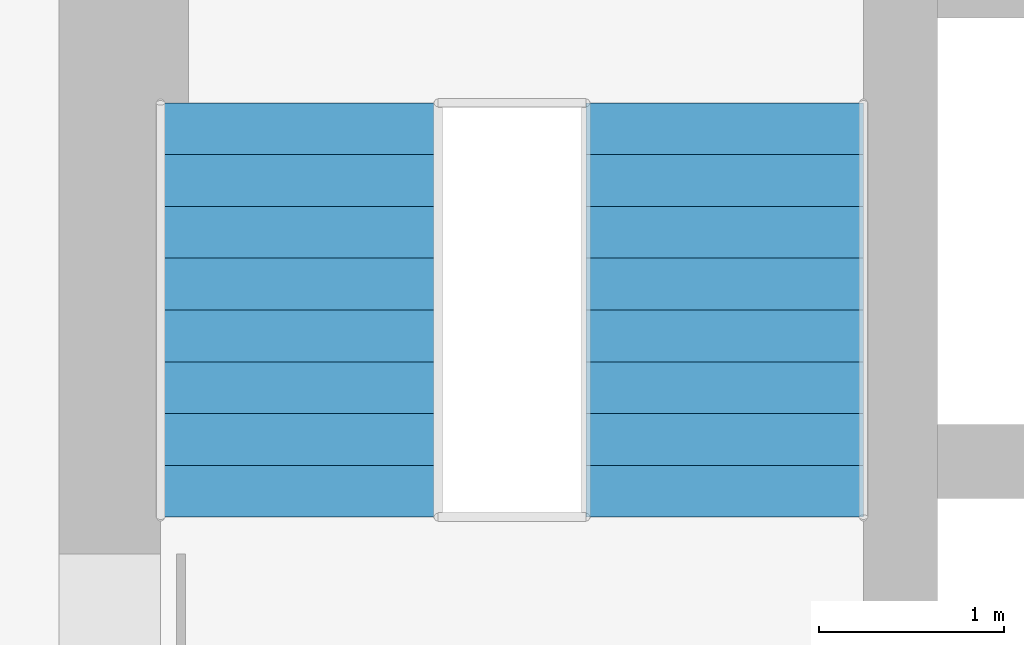
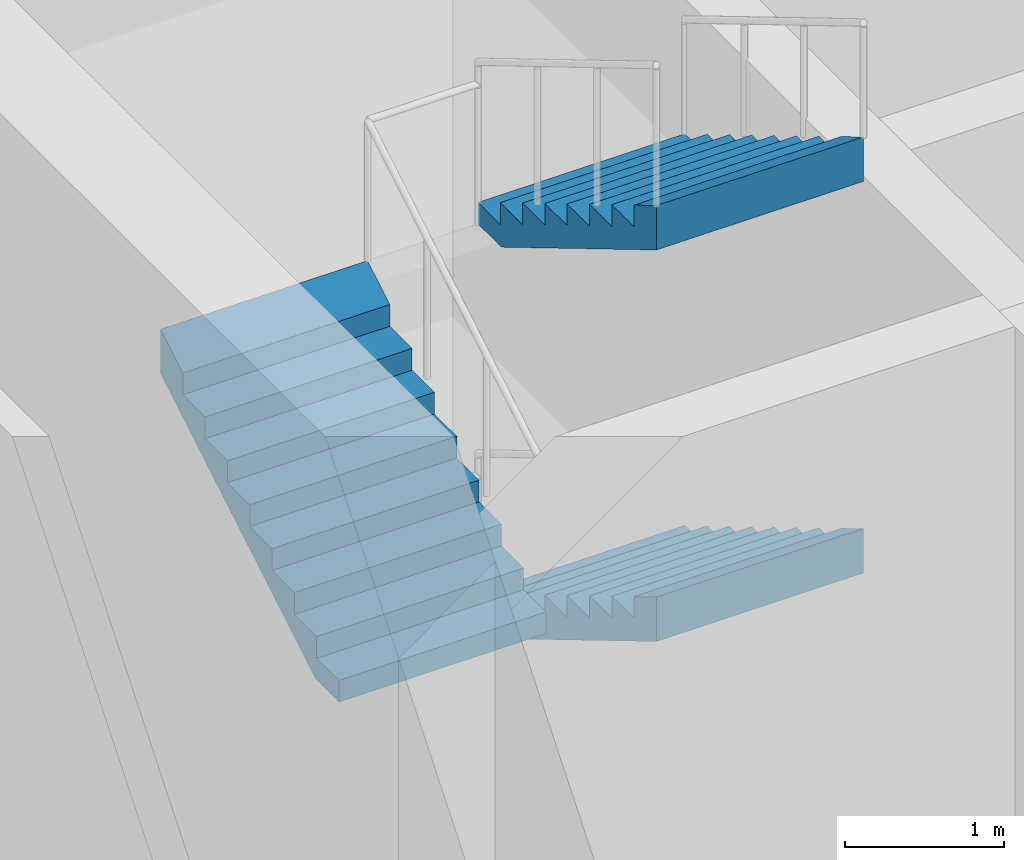
# One storey, part 20 of 32: 3 stair flights, 1 element without a shape of its own.
"""IFC4 building model written with IfcOpenShell, lengths in metres."""

from ifc_helpers import new_model, si_unit, direction, frame, origin, place, context, subcontext, project, spatial, triangles, material, type_object, element, aggregate, save


model = new_model("IFC4")

# Units and contexts
model_context = context("Model", 3, precision=1e-05, world=origin(), true_north=direction((0.0, 1.0)))
body_context = subcontext(model_context, "Body", "Model", "MODEL_VIEW")
ifc_project = project(units=[si_unit("LENGTHUNIT", "METRE"), si_unit("AREAUNIT", "SQUARE_METRE"), si_unit("VOLUMEUNIT", "CUBIC_METRE"), si_unit("PLANEANGLEUNIT", "RADIAN"), si_unit("MASSUNIT", "GRAM", prefix="KILO")], contexts=[model_context])

# Site, building, storey
site_placement = place(None, origin())
site = spatial("IfcSite", under=ifc_project, at=site_placement, CompositionType="ELEMENT")
building_placement = place(site_placement, origin())
building = spatial("IfcBuilding", under=site, at=building_placement, Name="Ludao Terraces", CompositionType="ELEMENT")
storey_placement = place(building_placement, origin())
storey = spatial("IfcBuildingStorey", under=building, at=storey_placement, Name="L00", CompositionType="ELEMENT", Elevation=0.0)

# Stair, stair flights
ifc_material = material(Name="Concrete C40", Category="concrete")
stair_type = type_object("IfcStairType", Name="INT Stair", PredefinedType="HALF_TURN_STAIR", material=ifc_material)
stair_placement = place(storey_placement, origin())
stair = element("IfcStair", 1, at=stair_placement, inside=storey, type_object=stair_type, Name="EXIT STAIR 1", PredefinedType="HALF_TURN_STAIR")
stair_flight_type = type_object("IfcStairFlightType", Name="INT Stair flight", PredefinedType="STRAIGHT", material=ifc_material)
stair_flight_1_placement = place(storey_placement, frame((78.5, 81.239990234375, 1.5), z_axis=(0.0, 0.0, 1.0), x_axis=(0.0, -1.0, 0.0)))
stair_flight_1 = element("IfcStairFlight", 2, at=stair_flight_1_placement, type_object=stair_flight_type, Name="ST1 flight 2", NumberOfRisers=9, NumberOfTreads=8, PredefinedType="STRAIGHT", RiserHeight=0.166667, TreadLength=0.28, context=body_context, shape_type="Tessellation", body=[
    triangles([(0.0, -0.75, 0.0), (0.0, -0.5, 0.0), (0.0, -0.25, 0.0), (0.0, 0.0, 0.0), (0.0, 0.25, 0.0), (0.0, 0.5, 0.0), (0.0, 0.75, 0.0), (0.0, -0.75, 0.166748046875), (0.0, -0.5, 0.166748046875), (0.0, -0.25, 0.166748046875), (0.0, 0.0, 0.166748046875), (0.0, 0.25, 0.166748046875), (0.0, 0.5, 0.166748046875), (0.0, 0.75, 0.166748046875), (0.280029296875, -0.75, 0.166748046875), (0.280029296875, -0.5, 0.166748046875), (0.280029296875, -0.25, 0.166748046875), (0.280029296875, 0.0, 0.166748046875), (0.280029296875, 0.25, 0.166748046875), (0.280029296875, 0.5, 0.166748046875), (0.280029296875, 0.75, 0.166748046875), (0.280029296875, -0.75, 0.333251953125), (0.280029296875, -0.5, 0.333251953125), (0.280029296875, -0.25, 0.333251953125), (0.280029296875, 0.0, 0.333251953125), (0.280029296875, 0.25, 0.333251953125), (0.280029296875, 0.5, 0.333251953125), (0.280029296875, 0.75, 0.333251953125), (0.56005859375, -0.75, 0.333251953125), (0.56005859375, -0.5, 0.333251953125), (0.56005859375, -0.25, 0.333251953125), (0.56005859375, 0.0, 0.333251953125), (0.56005859375, 0.25, 0.333251953125), (0.56005859375, 0.5, 0.333251953125), (0.56005859375, 0.75, 0.333251953125), (0.56005859375, -0.75, 0.5), (0.56005859375, -0.5, 0.5), (0.56005859375, -0.25, 0.5), (0.56005859375, 0.0, 0.5), (0.56005859375, 0.25, 0.5), (0.56005859375, 0.5, 0.5), (0.56005859375, 0.75, 0.5), (0.840087890625, -0.75, 0.5), (0.840087890625, -0.5, 0.5), (0.840087890625, -0.25, 0.5), (0.840087890625, 0.0, 0.5), (0.840087890625, 0.25, 0.5), (0.840087890625, 0.5, 0.5), (0.840087890625, 0.75, 0.5), (0.840087890625, -0.75, 0.666748046875), (0.840087890625, -0.5, 0.666748046875), (0.840087890625, -0.25, 0.666748046875), (0.840087890625, 0.0, 0.666748046875), (0.840087890625, 0.25, 0.666748046875), (0.840087890625, 0.5, 0.666748046875), (0.840087890625, 0.75, 0.666748046875), (1.1201171875, -0.75, 0.666748046875), (1.1201171875, -0.5, 0.666748046875), (1.1201171875, -0.25, 0.666748046875), (1.1201171875, 0.0, 0.666748046875), (1.1201171875, 0.25, 0.666748046875), (1.1201171875, 0.5, 0.666748046875), (1.1201171875, 0.75, 0.666748046875), (1.1201171875, -0.75, 0.833251953125), (1.1201171875, -0.5, 0.833251953125), (1.1201171875, -0.25, 0.833251953125), (1.1201171875, 0.0, 0.833251953125), (1.1201171875, 0.25, 0.833251953125), (1.1201171875, 0.5, 0.833251953125), (1.1201171875, 0.75, 0.833251953125), (1.39990234375, -0.75, 0.833251953125), (1.39990234375, -0.5, 0.833251953125), (1.39990234375, -0.25, 0.833251953125), (1.39990234375, 0.0, 0.833251953125), (1.39990234375, 0.25, 0.833251953125), (1.39990234375, 0.5, 0.833251953125), (1.39990234375, 0.75, 0.833251953125), (1.39990234375, -0.75, 1.0), (1.39990234375, -0.5, 1.0), (1.39990234375, -0.25, 1.0), (1.39990234375, 0.0, 1.0), (1.39990234375, 0.25, 1.0), (1.39990234375, 0.5, 1.0), (1.39990234375, 0.75, 1.0), (1.679931640625, -0.75, 1.0), (1.679931640625, -0.5, 1.0), (1.679931640625, -0.25, 1.0), (1.679931640625, 0.0, 1.0), (1.679931640625, 0.25, 1.0), (1.679931640625, 0.5, 1.0), (1.679931640625, 0.75, 1.0), (1.679931640625, -0.75, 1.166748046875), (1.679931640625, -0.5, 1.166748046875), (1.679931640625, -0.25, 1.166748046875), (1.679931640625, 0.0, 1.166748046875), (1.679931640625, 0.25, 1.166748046875), (1.679931640625, 0.5, 1.166748046875), (1.679931640625, 0.75, 1.166748046875), (1.9599609375, -0.75, 1.166748046875), (1.9599609375, -0.5, 1.166748046875), (1.9599609375, -0.25, 1.166748046875), (1.9599609375, 0.0, 1.166748046875), (1.9599609375, 0.25, 1.166748046875), (1.9599609375, 0.5, 1.166748046875), (1.9599609375, 0.75, 1.166748046875), (1.9599609375, -0.75, 1.333251953125), (1.9599609375, -0.5, 1.333251953125), (1.9599609375, -0.25, 1.333251953125), (1.9599609375, 0.0, 1.333251953125), (1.9599609375, 0.25, 1.333251953125), (1.9599609375, 0.5, 1.333251953125), (1.9599609375, 0.75, 1.333251953125), (2.239990234375, -0.75, 1.5), (2.239990234375, -0.5, 1.5), (2.239990234375, -0.25, 1.5), (2.239990234375, 0.0, 1.5), (2.239990234375, 0.25, 1.5), (2.239990234375, 0.5, 1.5), (2.239990234375, 0.75, 1.5), (2.239990234375, -0.75, 1.158935546875), (2.239990234375, -0.5, 1.158935546875), (2.239990234375, -0.25, 1.158935546875), (2.239990234375, 0.0, 1.158935546875), (2.239990234375, 0.25, 1.158935546875), (2.239990234375, 0.5, 1.158935546875), (2.239990234375, 0.75, 1.158935546875), (0.29296875, -0.75, 0.0), (0.29296875, -0.5, 0.0), (0.29296875, -0.25, 0.0), (0.29296875, 0.0, 0.0), (0.29296875, 0.25, 0.0), (0.29296875, 0.5, 0.0), (0.29296875, 0.75, 0.0)], [[1, 127, 120], [7, 126, 133], [120, 113, 106], [126, 112, 119], [120, 106, 99], [126, 105, 112], [120, 99, 92], [126, 98, 105], [120, 92, 85], [126, 91, 98], [85, 78, 71], [91, 77, 84], [120, 85, 71], [126, 77, 91], [71, 64, 57], [77, 63, 70], [120, 71, 57], [126, 63, 77], [57, 50, 43], [63, 49, 56], [120, 57, 43], [126, 49, 63], [43, 36, 29], [49, 35, 42], [120, 43, 29], [126, 35, 49], [1, 120, 29], [7, 35, 126], [29, 22, 15], [35, 21, 28], [1, 29, 15], [7, 21, 35], [15, 8, 1], [21, 7, 14], [1, 9, 2], [1, 8, 9], [2, 10, 3], [2, 9, 10], [3, 11, 4], [3, 10, 11], [4, 12, 5], [4, 11, 12], [5, 13, 6], [5, 12, 13], [6, 14, 7], [6, 13, 14], [8, 16, 9], [8, 15, 16], [9, 17, 10], [9, 16, 17], [10, 18, 11], [10, 17, 18], [11, 19, 12], [11, 18, 19], [12, 20, 13], [12, 19, 20], [13, 21, 14], [13, 20, 21], [15, 23, 16], [15, 22, 23], [16, 24, 17], [16, 23, 24], [17, 25, 18], [17, 24, 25], [18, 26, 19], [18, 25, 26], [19, 27, 20], [19, 26, 27], [20, 28, 21], [20, 27, 28], [22, 30, 23], [22, 29, 30], [23, 31, 24], [23, 30, 31], [24, 32, 25], [24, 31, 32], [25, 33, 26], [25, 32, 33], [26, 34, 27], [26, 33, 34], [27, 35, 28], [27, 34, 35], [29, 37, 30], [29, 36, 37], [30, 38, 31], [30, 37, 38], [31, 39, 32], [31, 38, 39], [32, 40, 33], [32, 39, 40], [33, 41, 34], [33, 40, 41], [34, 42, 35], [34, 41, 42], [36, 44, 37], [36, 43, 44], [37, 45, 38], [37, 44, 45], [38, 46, 39], [38, 45, 46], [39, 47, 40], [39, 46, 47], [40, 48, 41], [40, 47, 48], [41, 49, 42], [41, 48, 49], [43, 51, 44], [43, 50, 51], [44, 52, 45], [44, 51, 52], [45, 53, 46], [45, 52, 53], [46, 54, 47], [46, 53, 54], [47, 55, 48], [47, 54, 55], [48, 56, 49], [48, 55, 56], [50, 58, 51], [50, 57, 58], [51, 59, 52], [51, 58, 59], [52, 60, 53], [52, 59, 60], [53, 61, 54], [53, 60, 61], [54, 62, 55], [54, 61, 62], [55, 63, 56], [55, 62, 63], [57, 65, 58], [57, 64, 65], [58, 66, 59], [58, 65, 66], [59, 67, 60], [59, 66, 67], [60, 68, 61], [60, 67, 68], [61, 69, 62], [61, 68, 69], [62, 70, 63], [62, 69, 70], [64, 72, 65], [64, 71, 72], [65, 73, 66], [65, 72, 73], [66, 74, 67], [66, 73, 74], [67, 75, 68], [67, 74, 75], [68, 76, 69], [68, 75, 76], [69, 77, 70], [69, 76, 77], [71, 79, 72], [71, 78, 79], [72, 80, 73], [72, 79, 80], [73, 81, 74], [73, 80, 81], [74, 82, 75], [74, 81, 82], [75, 83, 76], [75, 82, 83], [76, 84, 77], [76, 83, 84], [78, 86, 79], [78, 85, 86], [79, 87, 80], [79, 86, 87], [80, 88, 81], [80, 87, 88], [81, 89, 82], [81, 88, 89], [82, 90, 83], [82, 89, 90], [83, 91, 84], [83, 90, 91], [85, 93, 86], [85, 92, 93], [86, 94, 87], [86, 93, 94], [87, 95, 88], [87, 94, 95], [88, 96, 89], [88, 95, 96], [89, 97, 90], [89, 96, 97], [90, 98, 91], [90, 97, 98], [92, 100, 93], [92, 99, 100], [93, 101, 94], [93, 100, 101], [94, 102, 95], [94, 101, 102], [95, 103, 96], [95, 102, 103], [96, 104, 97], [96, 103, 104], [97, 105, 98], [97, 104, 105], [99, 107, 100], [99, 106, 107], [100, 108, 101], [100, 107, 108], [101, 109, 102], [101, 108, 109], [102, 110, 103], [102, 109, 110], [103, 111, 104], [103, 110, 111], [104, 112, 105], [104, 111, 112], [106, 114, 107], [106, 113, 114], [107, 115, 108], [107, 114, 115], [108, 116, 109], [108, 115, 116], [109, 117, 110], [109, 116, 117], [110, 118, 111], [110, 117, 118], [111, 119, 112], [111, 118, 119], [113, 121, 114], [113, 120, 121], [114, 122, 115], [114, 121, 122], [115, 123, 116], [115, 122, 123], [116, 124, 117], [116, 123, 124], [117, 125, 118], [117, 124, 125], [118, 126, 119], [118, 125, 126], [120, 128, 121], [120, 127, 128], [121, 129, 122], [121, 128, 129], [122, 130, 123], [122, 129, 130], [123, 131, 124], [123, 130, 131], [124, 132, 125], [124, 131, 132], [125, 133, 126], [125, 132, 133], [127, 2, 128], [127, 1, 2], [128, 3, 129], [128, 2, 3], [129, 4, 130], [129, 3, 4], [130, 5, 131], [130, 4, 5], [131, 6, 132], [131, 5, 6], [132, 7, 133], [132, 6, 7]], closed=True),
])
stair_flight_2_placement = place(storey_placement, frame((76.199951171875, 79.0, 3.0), z_axis=(0.0, 0.0, 1.0), x_axis=(0.0, 1.0, 0.0)))
stair_flight_2 = element("IfcStairFlight", 3, at=stair_flight_2_placement, type_object=stair_flight_type, Name="ST1 flight 3", NumberOfRisers=9, NumberOfTreads=8, PredefinedType="STRAIGHT", RiserHeight=0.166667, TreadLength=0.28, context=body_context, shape_type="Tessellation", body=[
    triangles([(0.0, -0.75, 0.0), (0.0, -0.5, 0.0), (0.0, -0.25, 0.0), (0.0, 0.0, 0.0), (0.0, 0.25, 0.0), (0.0, 0.5, 0.0), (0.0, 0.75, 0.0), (0.0, -0.75, 0.166748046875), (0.0, -0.5, 0.166748046875), (0.0, -0.25, 0.166748046875), (0.0, 0.0, 0.166748046875), (0.0, 0.25, 0.166748046875), (0.0, 0.5, 0.166748046875), (0.0, 0.75, 0.166748046875), (0.280029296875, -0.75, 0.166748046875), (0.280029296875, -0.5, 0.166748046875), (0.280029296875, -0.25, 0.166748046875), (0.280029296875, 0.0, 0.166748046875), (0.280029296875, 0.25, 0.166748046875), (0.280029296875, 0.5, 0.166748046875), (0.280029296875, 0.75, 0.166748046875), (0.280029296875, -0.75, 0.333251953125), (0.280029296875, -0.5, 0.333251953125), (0.280029296875, -0.25, 0.333251953125), (0.280029296875, 0.0, 0.333251953125), (0.280029296875, 0.25, 0.333251953125), (0.280029296875, 0.5, 0.333251953125), (0.280029296875, 0.75, 0.333251953125), (0.56005859375, -0.75, 0.333251953125), (0.56005859375, -0.5, 0.333251953125), (0.56005859375, -0.25, 0.333251953125), (0.56005859375, 0.0, 0.333251953125), (0.56005859375, 0.25, 0.333251953125), (0.56005859375, 0.5, 0.333251953125), (0.56005859375, 0.75, 0.333251953125), (0.56005859375, -0.75, 0.5), (0.56005859375, -0.5, 0.5), (0.56005859375, -0.25, 0.5), (0.56005859375, 0.0, 0.5), (0.56005859375, 0.25, 0.5), (0.56005859375, 0.5, 0.5), (0.56005859375, 0.75, 0.5), (0.840087890625, -0.75, 0.5), (0.840087890625, -0.5, 0.5), (0.840087890625, -0.25, 0.5), (0.840087890625, 0.0, 0.5), (0.840087890625, 0.25, 0.5), (0.840087890625, 0.5, 0.5), (0.840087890625, 0.75, 0.5), (0.840087890625, -0.75, 0.666748046875), (0.840087890625, -0.5, 0.666748046875), (0.840087890625, -0.25, 0.666748046875), (0.840087890625, 0.0, 0.666748046875), (0.840087890625, 0.25, 0.666748046875), (0.840087890625, 0.5, 0.666748046875), (0.840087890625, 0.75, 0.666748046875), (1.1201171875, -0.75, 0.666748046875), (1.1201171875, -0.5, 0.666748046875), (1.1201171875, -0.25, 0.666748046875), (1.1201171875, 0.0, 0.666748046875), (1.1201171875, 0.25, 0.666748046875), (1.1201171875, 0.5, 0.666748046875), (1.1201171875, 0.75, 0.666748046875), (1.1201171875, -0.75, 0.833251953125), (1.1201171875, -0.5, 0.833251953125), (1.1201171875, -0.25, 0.833251953125), (1.1201171875, 0.0, 0.833251953125), (1.1201171875, 0.25, 0.833251953125), (1.1201171875, 0.5, 0.833251953125), (1.1201171875, 0.75, 0.833251953125), (1.39990234375, -0.75, 0.833251953125), (1.39990234375, -0.5, 0.833251953125), (1.39990234375, -0.25, 0.833251953125), (1.39990234375, 0.0, 0.833251953125), (1.39990234375, 0.25, 0.833251953125), (1.39990234375, 0.5, 0.833251953125), (1.39990234375, 0.75, 0.833251953125), (1.39990234375, -0.75, 1.0), (1.39990234375, -0.5, 1.0), (1.39990234375, -0.25, 1.0), (1.39990234375, 0.0, 1.0), (1.39990234375, 0.25, 1.0), (1.39990234375, 0.5, 1.0), (1.39990234375, 0.75, 1.0), (1.679931640625, -0.75, 1.0), (1.679931640625, -0.5, 1.0), (1.679931640625, -0.25, 1.0), (1.679931640625, 0.0, 1.0), (1.679931640625, 0.25, 1.0), (1.679931640625, 0.5, 1.0), (1.679931640625, 0.75, 1.0), (1.679931640625, -0.75, 1.166748046875), (1.679931640625, -0.5, 1.166748046875), (1.679931640625, -0.25, 1.166748046875), (1.679931640625, 0.0, 1.166748046875), (1.679931640625, 0.25, 1.166748046875), (1.679931640625, 0.5, 1.166748046875), (1.679931640625, 0.75, 1.166748046875), (1.9599609375, -0.75, 1.166748046875), (1.9599609375, -0.5, 1.166748046875), (1.9599609375, -0.25, 1.166748046875), (1.9599609375, 0.0, 1.166748046875), (1.9599609375, 0.25, 1.166748046875), (1.9599609375, 0.5, 1.166748046875), (1.9599609375, 0.75, 1.166748046875), (1.9599609375, -0.75, 1.333251953125), (1.9599609375, -0.5, 1.333251953125), (1.9599609375, -0.25, 1.333251953125), (1.9599609375, 0.0, 1.333251953125), (1.9599609375, 0.25, 1.333251953125), (1.9599609375, 0.5, 1.333251953125), (1.9599609375, 0.75, 1.333251953125), (2.239990234375, -0.75, 1.5), (2.239990234375, -0.5, 1.5), (2.239990234375, -0.25, 1.5), (2.239990234375, 0.0, 1.5), (2.239990234375, 0.25, 1.5), (2.239990234375, 0.5, 1.5), (2.239990234375, 0.75, 1.5), (2.239990234375, -0.75, 1.158935546875), (2.239990234375, -0.5, 1.158935546875), (2.239990234375, -0.25, 1.158935546875), (2.239990234375, 0.0, 1.158935546875), (2.239990234375, 0.25, 1.158935546875), (2.239990234375, 0.5, 1.158935546875), (2.239990234375, 0.75, 1.158935546875), (0.29296875, -0.75, 0.0), (0.29296875, -0.5, 0.0), (0.29296875, -0.25, 0.0), (0.29296875, 0.0, 0.0), (0.29296875, 0.25, 0.0), (0.29296875, 0.5, 0.0), (0.29296875, 0.75, 0.0)], [[1, 127, 120], [7, 126, 133], [120, 113, 106], [126, 112, 119], [120, 106, 99], [126, 105, 112], [120, 99, 92], [126, 98, 105], [120, 92, 85], [126, 91, 98], [85, 78, 71], [91, 77, 84], [120, 85, 71], [126, 77, 91], [71, 64, 57], [77, 63, 70], [120, 71, 57], [126, 63, 77], [57, 50, 43], [63, 49, 56], [120, 57, 43], [126, 49, 63], [43, 36, 29], [49, 35, 42], [120, 43, 29], [126, 35, 49], [1, 120, 29], [7, 35, 126], [29, 22, 15], [35, 21, 28], [1, 29, 15], [7, 21, 35], [15, 8, 1], [21, 7, 14], [1, 9, 2], [1, 8, 9], [2, 10, 3], [2, 9, 10], [3, 11, 4], [3, 10, 11], [4, 12, 5], [4, 11, 12], [5, 13, 6], [5, 12, 13], [6, 14, 7], [6, 13, 14], [8, 16, 9], [8, 15, 16], [9, 17, 10], [9, 16, 17], [10, 18, 11], [10, 17, 18], [11, 19, 12], [11, 18, 19], [12, 20, 13], [12, 19, 20], [13, 21, 14], [13, 20, 21], [15, 23, 16], [15, 22, 23], [16, 24, 17], [16, 23, 24], [17, 25, 18], [17, 24, 25], [18, 26, 19], [18, 25, 26], [19, 27, 20], [19, 26, 27], [20, 28, 21], [20, 27, 28], [22, 30, 23], [22, 29, 30], [23, 31, 24], [23, 30, 31], [24, 32, 25], [24, 31, 32], [25, 33, 26], [25, 32, 33], [26, 34, 27], [26, 33, 34], [27, 35, 28], [27, 34, 35], [29, 37, 30], [29, 36, 37], [30, 38, 31], [30, 37, 38], [31, 39, 32], [31, 38, 39], [32, 40, 33], [32, 39, 40], [33, 41, 34], [33, 40, 41], [34, 42, 35], [34, 41, 42], [36, 44, 37], [36, 43, 44], [37, 45, 38], [37, 44, 45], [38, 46, 39], [38, 45, 46], [39, 47, 40], [39, 46, 47], [40, 48, 41], [40, 47, 48], [41, 49, 42], [41, 48, 49], [43, 51, 44], [43, 50, 51], [44, 52, 45], [44, 51, 52], [45, 53, 46], [45, 52, 53], [46, 54, 47], [46, 53, 54], [47, 55, 48], [47, 54, 55], [48, 56, 49], [48, 55, 56], [50, 58, 51], [50, 57, 58], [51, 59, 52], [51, 58, 59], [52, 60, 53], [52, 59, 60], [53, 61, 54], [53, 60, 61], [54, 62, 55], [54, 61, 62], [55, 63, 56], [55, 62, 63], [57, 65, 58], [57, 64, 65], [58, 66, 59], [58, 65, 66], [59, 67, 60], [59, 66, 67], [60, 68, 61], [60, 67, 68], [61, 69, 62], [61, 68, 69], [62, 70, 63], [62, 69, 70], [64, 72, 65], [64, 71, 72], [65, 73, 66], [65, 72, 73], [66, 74, 67], [66, 73, 74], [67, 75, 68], [67, 74, 75], [68, 76, 69], [68, 75, 76], [69, 77, 70], [69, 76, 77], [71, 79, 72], [71, 78, 79], [72, 80, 73], [72, 79, 80], [73, 81, 74], [73, 80, 81], [74, 82, 75], [74, 81, 82], [75, 83, 76], [75, 82, 83], [76, 84, 77], [76, 83, 84], [78, 86, 79], [78, 85, 86], [79, 87, 80], [79, 86, 87], [80, 88, 81], [80, 87, 88], [81, 89, 82], [81, 88, 89], [82, 90, 83], [82, 89, 90], [83, 91, 84], [83, 90, 91], [85, 93, 86], [85, 92, 93], [86, 94, 87], [86, 93, 94], [87, 95, 88], [87, 94, 95], [88, 96, 89], [88, 95, 96], [89, 97, 90], [89, 96, 97], [90, 98, 91], [90, 97, 98], [92, 100, 93], [92, 99, 100], [93, 101, 94], [93, 100, 101], [94, 102, 95], [94, 101, 102], [95, 103, 96], [95, 102, 103], [96, 104, 97], [96, 103, 104], [97, 105, 98], [97, 104, 105], [99, 107, 100], [99, 106, 107], [100, 108, 101], [100, 107, 108], [101, 109, 102], [101, 108, 109], [102, 110, 103], [102, 109, 110], [103, 111, 104], [103, 110, 111], [104, 112, 105], [104, 111, 112], [106, 114, 107], [106, 113, 114], [107, 115, 108], [107, 114, 115], [108, 116, 109], [108, 115, 116], [109, 117, 110], [109, 116, 117], [110, 118, 111], [110, 117, 118], [111, 119, 112], [111, 118, 119], [113, 121, 114], [113, 120, 121], [114, 122, 115], [114, 121, 122], [115, 123, 116], [115, 122, 123], [116, 124, 117], [116, 123, 124], [117, 125, 118], [117, 124, 125], [118, 126, 119], [118, 125, 126], [120, 128, 121], [120, 127, 128], [121, 129, 122], [121, 128, 129], [122, 130, 123], [122, 129, 130], [123, 131, 124], [123, 130, 131], [124, 132, 125], [124, 131, 132], [125, 133, 126], [125, 132, 133], [127, 2, 128], [127, 1, 2], [128, 3, 129], [128, 2, 3], [129, 4, 130], [129, 3, 4], [130, 5, 131], [130, 4, 5], [131, 6, 132], [131, 5, 6], [132, 7, 133], [132, 6, 7]], closed=True),
])
stair_flight_3_placement = place(storey_placement, frame((78.5, 81.239990234375, 4.5), z_axis=(0.0, 0.0, 1.0), x_axis=(0.0, -1.0, 0.0)))
stair_flight_3 = element("IfcStairFlight", 4, at=stair_flight_3_placement, type_object=stair_flight_type, Name="ST1 flight 4", NumberOfRisers=9, NumberOfTreads=8, PredefinedType="STRAIGHT", RiserHeight=0.166667, TreadLength=0.28, context=body_context, shape_type="Tessellation", body=[
    triangles([(0.0, -0.75, 0.0), (0.0, -0.5, 0.0), (0.0, -0.25, 0.0), (0.0, 0.0, 0.0), (0.0, 0.25, 0.0), (0.0, 0.5, 0.0), (0.0, 0.75, 0.0), (0.0, -0.75, 0.166748046875), (0.0, -0.5, 0.166748046875), (0.0, -0.25, 0.166748046875), (0.0, 0.0, 0.166748046875), (0.0, 0.25, 0.166748046875), (0.0, 0.5, 0.166748046875), (0.0, 0.75, 0.166748046875), (0.280029296875, -0.75, 0.166748046875), (0.280029296875, -0.5, 0.166748046875), (0.280029296875, -0.25, 0.166748046875), (0.280029296875, 0.0, 0.166748046875), (0.280029296875, 0.25, 0.166748046875), (0.280029296875, 0.5, 0.166748046875), (0.280029296875, 0.75, 0.166748046875), (0.280029296875, -0.75, 0.333251953125), (0.280029296875, -0.5, 0.333251953125), (0.280029296875, -0.25, 0.333251953125), (0.280029296875, 0.0, 0.333251953125), (0.280029296875, 0.25, 0.333251953125), (0.280029296875, 0.5, 0.333251953125), (0.280029296875, 0.75, 0.333251953125), (0.56005859375, -0.75, 0.333251953125), (0.56005859375, -0.5, 0.333251953125), (0.56005859375, -0.25, 0.333251953125), (0.56005859375, 0.0, 0.333251953125), (0.56005859375, 0.25, 0.333251953125), (0.56005859375, 0.5, 0.333251953125), (0.56005859375, 0.75, 0.333251953125), (0.56005859375, -0.75, 0.5), (0.56005859375, -0.5, 0.5), (0.56005859375, -0.25, 0.5), (0.56005859375, 0.0, 0.5), (0.56005859375, 0.25, 0.5), (0.56005859375, 0.5, 0.5), (0.56005859375, 0.75, 0.5), (0.840087890625, -0.75, 0.5), (0.840087890625, -0.5, 0.5), (0.840087890625, -0.25, 0.5), (0.840087890625, 0.0, 0.5), (0.840087890625, 0.25, 0.5), (0.840087890625, 0.5, 0.5), (0.840087890625, 0.75, 0.5), (0.840087890625, -0.75, 0.666748046875), (0.840087890625, -0.5, 0.666748046875), (0.840087890625, -0.25, 0.666748046875), (0.840087890625, 0.0, 0.666748046875), (0.840087890625, 0.25, 0.666748046875), (0.840087890625, 0.5, 0.666748046875), (0.840087890625, 0.75, 0.666748046875), (1.1201171875, -0.75, 0.666748046875), (1.1201171875, -0.5, 0.666748046875), (1.1201171875, -0.25, 0.666748046875), (1.1201171875, 0.0, 0.666748046875), (1.1201171875, 0.25, 0.666748046875), (1.1201171875, 0.5, 0.666748046875), (1.1201171875, 0.75, 0.666748046875), (1.1201171875, -0.75, 0.833251953125), (1.1201171875, -0.5, 0.833251953125), (1.1201171875, -0.25, 0.833251953125), (1.1201171875, 0.0, 0.833251953125), (1.1201171875, 0.25, 0.833251953125), (1.1201171875, 0.5, 0.833251953125), (1.1201171875, 0.75, 0.833251953125), (1.39990234375, -0.75, 0.833251953125), (1.39990234375, -0.5, 0.833251953125), (1.39990234375, -0.25, 0.833251953125), (1.39990234375, 0.0, 0.833251953125), (1.39990234375, 0.25, 0.833251953125), (1.39990234375, 0.5, 0.833251953125), (1.39990234375, 0.75, 0.833251953125), (1.39990234375, -0.75, 1.0), (1.39990234375, -0.5, 1.0), (1.39990234375, -0.25, 1.0), (1.39990234375, 0.0, 1.0), (1.39990234375, 0.25, 1.0), (1.39990234375, 0.5, 1.0), (1.39990234375, 0.75, 1.0), (1.679931640625, -0.75, 1.0), (1.679931640625, -0.5, 1.0), (1.679931640625, -0.25, 1.0), (1.679931640625, 0.0, 1.0), (1.679931640625, 0.25, 1.0), (1.679931640625, 0.5, 1.0), (1.679931640625, 0.75, 1.0), (1.679931640625, -0.75, 1.166748046875), (1.679931640625, -0.5, 1.166748046875), (1.679931640625, -0.25, 1.166748046875), (1.679931640625, 0.0, 1.166748046875), (1.679931640625, 0.25, 1.166748046875), (1.679931640625, 0.5, 1.166748046875), (1.679931640625, 0.75, 1.166748046875), (1.9599609375, -0.75, 1.166748046875), (1.9599609375, -0.5, 1.166748046875), (1.9599609375, -0.25, 1.166748046875), (1.9599609375, 0.0, 1.166748046875), (1.9599609375, 0.25, 1.166748046875), (1.9599609375, 0.5, 1.166748046875), (1.9599609375, 0.75, 1.166748046875), (1.9599609375, -0.75, 1.333251953125), (1.9599609375, -0.5, 1.333251953125), (1.9599609375, -0.25, 1.333251953125), (1.9599609375, 0.0, 1.333251953125), (1.9599609375, 0.25, 1.333251953125), (1.9599609375, 0.5, 1.333251953125), (1.9599609375, 0.75, 1.333251953125), (2.239990234375, -0.75, 1.5), (2.239990234375, -0.5, 1.5), (2.239990234375, -0.25, 1.5), (2.239990234375, 0.0, 1.5), (2.239990234375, 0.25, 1.5), (2.239990234375, 0.5, 1.5), (2.239990234375, 0.75, 1.5), (2.239990234375, -0.75, 1.158935546875), (2.239990234375, -0.5, 1.158935546875), (2.239990234375, -0.25, 1.158935546875), (2.239990234375, 0.0, 1.158935546875), (2.239990234375, 0.25, 1.158935546875), (2.239990234375, 0.5, 1.158935546875), (2.239990234375, 0.75, 1.158935546875), (0.29296875, -0.75, 0.0), (0.29296875, -0.5, 0.0), (0.29296875, -0.25, 0.0), (0.29296875, 0.0, 0.0), (0.29296875, 0.25, 0.0), (0.29296875, 0.5, 0.0), (0.29296875, 0.75, 0.0)], [[1, 127, 120], [7, 126, 133], [120, 113, 106], [126, 112, 119], [120, 106, 99], [126, 105, 112], [120, 99, 92], [126, 98, 105], [120, 92, 85], [126, 91, 98], [85, 78, 71], [91, 77, 84], [120, 85, 71], [126, 77, 91], [71, 64, 57], [77, 63, 70], [120, 71, 57], [126, 63, 77], [57, 50, 43], [63, 49, 56], [120, 57, 43], [126, 49, 63], [43, 36, 29], [49, 35, 42], [120, 43, 29], [126, 35, 49], [1, 120, 29], [7, 35, 126], [29, 22, 15], [35, 21, 28], [1, 29, 15], [7, 21, 35], [15, 8, 1], [21, 7, 14], [1, 9, 2], [1, 8, 9], [2, 10, 3], [2, 9, 10], [3, 11, 4], [3, 10, 11], [4, 12, 5], [4, 11, 12], [5, 13, 6], [5, 12, 13], [6, 14, 7], [6, 13, 14], [8, 16, 9], [8, 15, 16], [9, 17, 10], [9, 16, 17], [10, 18, 11], [10, 17, 18], [11, 19, 12], [11, 18, 19], [12, 20, 13], [12, 19, 20], [13, 21, 14], [13, 20, 21], [15, 23, 16], [15, 22, 23], [16, 24, 17], [16, 23, 24], [17, 25, 18], [17, 24, 25], [18, 26, 19], [18, 25, 26], [19, 27, 20], [19, 26, 27], [20, 28, 21], [20, 27, 28], [22, 30, 23], [22, 29, 30], [23, 31, 24], [23, 30, 31], [24, 32, 25], [24, 31, 32], [25, 33, 26], [25, 32, 33], [26, 34, 27], [26, 33, 34], [27, 35, 28], [27, 34, 35], [29, 37, 30], [29, 36, 37], [30, 38, 31], [30, 37, 38], [31, 39, 32], [31, 38, 39], [32, 40, 33], [32, 39, 40], [33, 41, 34], [33, 40, 41], [34, 42, 35], [34, 41, 42], [36, 44, 37], [36, 43, 44], [37, 45, 38], [37, 44, 45], [38, 46, 39], [38, 45, 46], [39, 47, 40], [39, 46, 47], [40, 48, 41], [40, 47, 48], [41, 49, 42], [41, 48, 49], [43, 51, 44], [43, 50, 51], [44, 52, 45], [44, 51, 52], [45, 53, 46], [45, 52, 53], [46, 54, 47], [46, 53, 54], [47, 55, 48], [47, 54, 55], [48, 56, 49], [48, 55, 56], [50, 58, 51], [50, 57, 58], [51, 59, 52], [51, 58, 59], [52, 60, 53], [52, 59, 60], [53, 61, 54], [53, 60, 61], [54, 62, 55], [54, 61, 62], [55, 63, 56], [55, 62, 63], [57, 65, 58], [57, 64, 65], [58, 66, 59], [58, 65, 66], [59, 67, 60], [59, 66, 67], [60, 68, 61], [60, 67, 68], [61, 69, 62], [61, 68, 69], [62, 70, 63], [62, 69, 70], [64, 72, 65], [64, 71, 72], [65, 73, 66], [65, 72, 73], [66, 74, 67], [66, 73, 74], [67, 75, 68], [67, 74, 75], [68, 76, 69], [68, 75, 76], [69, 77, 70], [69, 76, 77], [71, 79, 72], [71, 78, 79], [72, 80, 73], [72, 79, 80], [73, 81, 74], [73, 80, 81], [74, 82, 75], [74, 81, 82], [75, 83, 76], [75, 82, 83], [76, 84, 77], [76, 83, 84], [78, 86, 79], [78, 85, 86], [79, 87, 80], [79, 86, 87], [80, 88, 81], [80, 87, 88], [81, 89, 82], [81, 88, 89], [82, 90, 83], [82, 89, 90], [83, 91, 84], [83, 90, 91], [85, 93, 86], [85, 92, 93], [86, 94, 87], [86, 93, 94], [87, 95, 88], [87, 94, 95], [88, 96, 89], [88, 95, 96], [89, 97, 90], [89, 96, 97], [90, 98, 91], [90, 97, 98], [92, 100, 93], [92, 99, 100], [93, 101, 94], [93, 100, 101], [94, 102, 95], [94, 101, 102], [95, 103, 96], [95, 102, 103], [96, 104, 97], [96, 103, 104], [97, 105, 98], [97, 104, 105], [99, 107, 100], [99, 106, 107], [100, 108, 101], [100, 107, 108], [101, 109, 102], [101, 108, 109], [102, 110, 103], [102, 109, 110], [103, 111, 104], [103, 110, 111], [104, 112, 105], [104, 111, 112], [106, 114, 107], [106, 113, 114], [107, 115, 108], [107, 114, 115], [108, 116, 109], [108, 115, 116], [109, 117, 110], [109, 116, 117], [110, 118, 111], [110, 117, 118], [111, 119, 112], [111, 118, 119], [113, 121, 114], [113, 120, 121], [114, 122, 115], [114, 121, 122], [115, 123, 116], [115, 122, 123], [116, 124, 117], [116, 123, 124], [117, 125, 118], [117, 124, 125], [118, 126, 119], [118, 125, 126], [120, 128, 121], [120, 127, 128], [121, 129, 122], [121, 128, 129], [122, 130, 123], [122, 129, 130], [123, 131, 124], [123, 130, 131], [124, 132, 125], [124, 131, 132], [125, 133, 126], [125, 132, 133], [127, 2, 128], [127, 1, 2], [128, 3, 129], [128, 2, 3], [129, 4, 130], [129, 3, 4], [130, 5, 131], [130, 4, 5], [131, 6, 132], [131, 5, 6], [132, 7, 133], [132, 6, 7]], closed=True),
])
aggregate(stair, [stair_flight_1, stair_flight_2, stair_flight_3])

save(model, "model.ifc")
